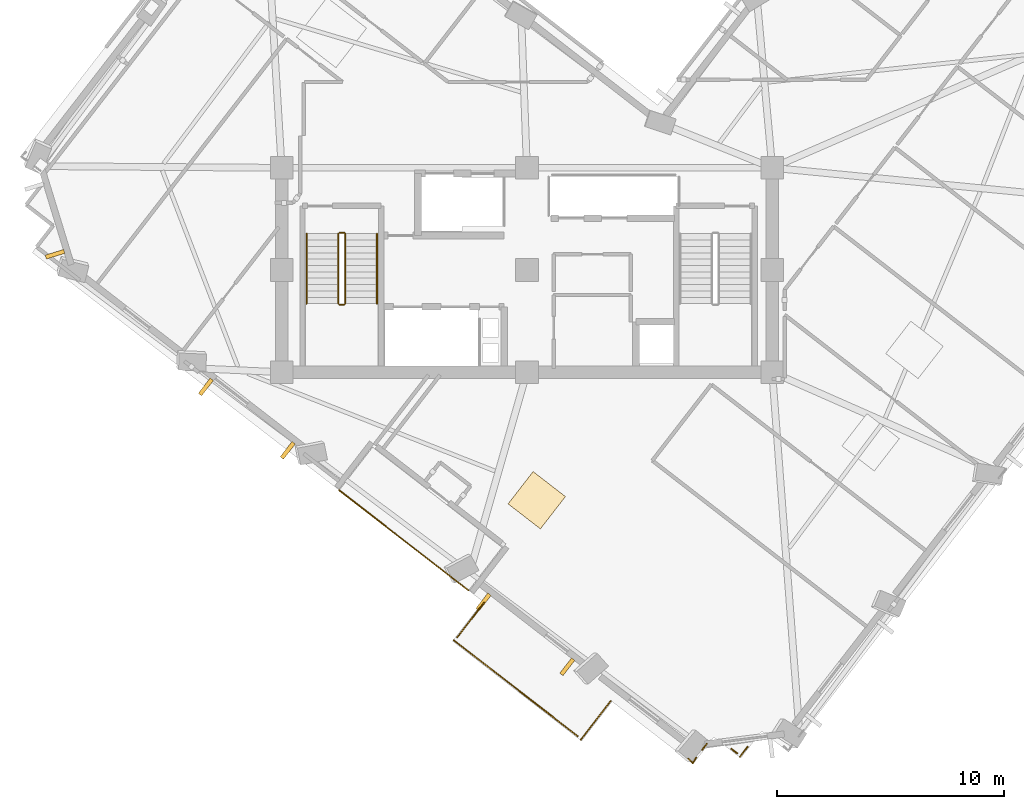
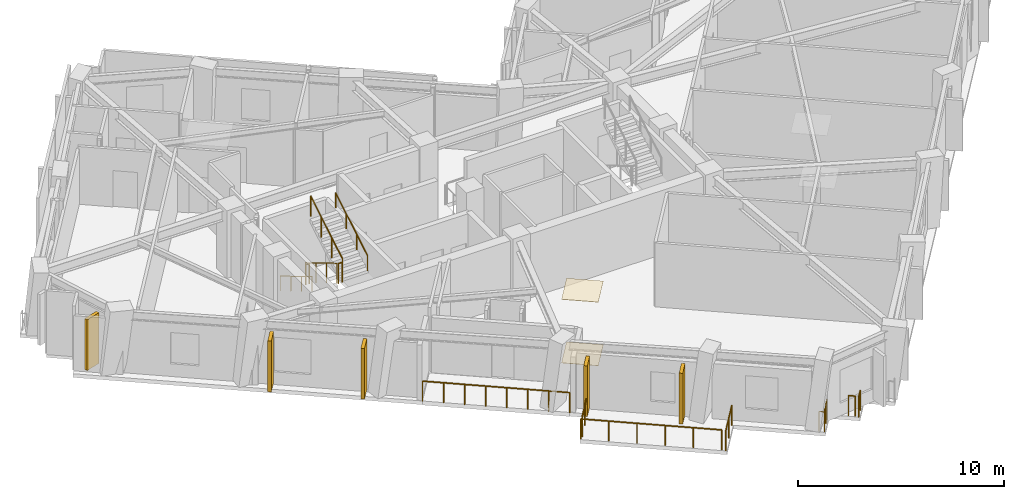
# One storey, part 8 of 12: 14 railings, 5 shading devices, 2 coverings.
"""IFC4 building model written with IfcOpenShell, lengths in metres."""

from ifc_helpers import new_model, si_unit, direction, frame, origin, origin_2d, place, context, subcontext, project, spatial, rectangle, circle, extrude, material, layer, layer_set, type_object, element, save


model = new_model("IFC4")

# Units and contexts
model_context = context("Model", 3, precision=1e-05, world=origin(), true_north=direction((0.0, 1.0)))
body_context = subcontext(model_context, "Body", "Model", "MODEL_VIEW")
ifc_project = project(units=[si_unit("LENGTHUNIT", "METRE"), si_unit("AREAUNIT", "SQUARE_METRE"), si_unit("VOLUMEUNIT", "CUBIC_METRE"), si_unit("PLANEANGLEUNIT", "RADIAN"), si_unit("MASSUNIT", "GRAM", prefix="KILO")], contexts=[model_context])

# Site, building, storey
site_placement = place(None, origin())
site = spatial("IfcSite", under=ifc_project, at=site_placement, CompositionType="ELEMENT")
building_placement = place(site_placement, origin())
building = spatial("IfcBuilding", under=site, at=building_placement, Name="Gaonmaruhae Medical Tower", CompositionType="ELEMENT")
storey_placement = place(building_placement, frame((0.0, 0.0, 247.199951171875)))
storey = spatial("IfcBuildingStorey", under=building, at=storey_placement, Name="L59", CompositionType="ELEMENT", Elevation=247.199951171875)

# Coverings
ifc_material_1 = material(Name="Acoustic mineral ceiling tile", Category="finish")
ifc_layer_1 = layer(ifc_material_1, 0.02490234375)
ifc_layer_set_1 = layer_set([ifc_layer_1], Name="Acoustic mineral ceiling tile")
covering_type_1 = type_object("IfcCoveringType", Name="CLG-01 Antimicrobial Acoustic Mineral Ceiling", PredefinedType="CEILING", material=ifc_layer_set_1)
covering_1_placement = place(storey_placement, frame((25.234130859375, 2.16357421875, 3.755126953125), z_axis=(0.0, 0.0, 1.0), x_axis=(0.612217280034, 0.790689573744, 0.0)))
element("IfcCovering", 1, at=covering_1_placement, inside=storey, type_object=covering_type_1, Name="L59 Clinical Room Acoustic Ceiling 2", PredefinedType="CEILING", context=body_context, shape_type="SweptSolid", body=[
    extrude(rectangle(XDim=1.800048828125, YDim=1.800048828125, at=origin_2d()), origin(), (0.0, 0.0, 1.0), 0.02490234375),
])
ifc_material_2 = material(Name="Seamless clinical vinyl flooring", Category="finish")
ifc_layer_2 = layer(ifc_material_2, 0.014892578125)
ifc_layer_set_2 = layer_set([ifc_layer_2], Name="Seamless clinical vinyl flooring")
covering_type_2 = type_object("IfcCoveringType", Name="FLR-01 Seamless Clinical Antistatic Vinyl Flooring", PredefinedType="FLOORING", material=ifc_layer_set_2)
covering_2_placement = place(storey_placement, frame((25.234130859375, 2.16357421875, 0.0), z_axis=(0.0, 0.0, 1.0), x_axis=(0.612217280034, 0.790689573744, 0.0)))
element("IfcCovering", 2, at=covering_2_placement, inside=storey, type_object=covering_type_2, Name="L59 Clinical Room Vinyl Flooring 2", PredefinedType="FLOORING", context=body_context, shape_type="SweptSolid", body=[
    extrude(rectangle(XDim=1.800048828125, YDim=1.800048828125, at=origin_2d()), origin(), (0.0, 0.0, 1.0), 0.014892578125),
])

# Railings
ifc_material_3 = material(Name="Stainless steel 316L and laminated safety glass", Category="steel")
ifc_layer_3 = layer(ifc_material_3, 0.080078125)
ifc_layer_set_3 = layer_set([ifc_layer_3], Name="Stainless steel 316L and laminated safety glass")
railing_type_1 = type_object("IfcRailingType", Name="GD-120 Outdoor Terrace Safety Glass & Steel Balustrade", PredefinedType="BALUSTRADE", material=ifc_layer_set_3)
railing_1_placement = place(storey_placement, frame((16.537109375, 2.599609375, 0.0)))
element("IfcRailing", 3, at=railing_1_placement, inside=storey, type_object=railing_type_1, Name="L59 Terrace Safety Guard RL-SLB-L59-TER-04", PredefinedType="BALUSTRADE", context=body_context, shape_type="SweptSolid", body=[
    extrude(circle(Radius=0.02392578125, at=origin_2d()), frame((0.0, 0.0, 1.17578125), z_axis=(0.790668639632, -0.612244315859, 0.0), x_axis=(0.612244315859, 0.790668639632, 0.0)), (0.0, 0.0, 1.0), 7.199951171875),
    extrude(circle(Radius=0.02099609375, at=origin_2d()), origin(), (0.0, 0.0, 1.0), 1.15185546875),
    extrude(circle(Radius=0.02099609375, at=origin_2d()), frame((0.813232421875, -0.629638671875, 0.0)), (0.0, 0.0, 1.0), 1.15185546875),
    extrude(circle(Radius=0.02099609375, at=origin_2d()), frame((1.62646484375, -1.259521484375, 0.0)), (0.0, 0.0, 1.0), 1.15185546875),
    extrude(circle(Radius=0.02099609375, at=origin_2d()), frame((2.439697265625, -1.88916015625, 0.0)), (0.0, 0.0, 1.0), 1.15185546875),
    extrude(circle(Radius=0.02099609375, at=origin_2d()), frame((3.253173828125, -2.51904296875, 0.0)), (0.0, 0.0, 1.0), 1.15185546875),
    extrude(circle(Radius=0.02099609375, at=origin_2d()), frame((4.06640625, -3.148681640625, 0.0)), (0.0, 0.0, 1.0), 1.15185546875),
    extrude(circle(Radius=0.02099609375, at=origin_2d()), frame((4.879638671875, -3.778564453125, 0.0)), (0.0, 0.0, 1.0), 1.15185546875),
    extrude(circle(Radius=0.02099609375, at=origin_2d()), frame((5.69287109375, -4.408203125, 0.0)), (0.0, 0.0, 1.0), 1.15185546875),
])
railing_2_placement = place(storey_placement, frame((34.517578125, -8.692138671875, 0.0)))
element("IfcRailing", 4, at=railing_2_placement, inside=storey, type_object=railing_type_1, Name="L59 Perimeter Slab Edge Safety Balustrade 09", PredefinedType="BALUSTRADE", context=body_context, shape_type="SweptSolid", body=[
    extrude(circle(Radius=0.02392578125, at=origin_2d()), frame((0.0, 0.0, 1.17578125), z_axis=(-0.612278735813, -0.790641985776, 0.0), x_axis=(0.790641985776, -0.612278735813, 0.0)), (0.0, 0.0, 1.0), 0.559814453125),
    extrude(circle(Radius=0.02099609375, at=origin_2d()), origin(), (0.0, 0.0, 1.0), 1.15185546875),
    extrude(circle(Radius=0.02099609375, at=origin_2d()), frame((-0.3427734375, -0.442626953125, 0.0)), (0.0, 0.0, 1.0), 1.15185546875),
])
railing_3_placement = place(storey_placement, frame((34.060546875, -8.983154296875, 0.0)))
element("IfcRailing", 5, at=railing_3_placement, inside=storey, type_object=railing_type_1, Name="L59 Perimeter Slab Edge Safety Balustrade 10", PredefinedType="BALUSTRADE", context=body_context, shape_type="SweptSolid", body=[
    extrude(circle(Radius=0.02392578125, at=origin_2d()), frame((0.0, 0.0, 1.17578125), z_axis=(-0.790758718323, 0.612127968154, 0.0), x_axis=(-0.612127968154, -0.790758718323, 0.0)), (0.0, 0.0, 1.0), 0.32666015625),
    extrude(circle(Radius=0.02099609375, at=origin_2d()), origin(), (0.0, 0.0, 1.0), 1.15185546875),
    extrude(circle(Radius=0.02099609375, at=origin_2d()), frame((-0.25830078125, 0.199951171875, 0.0)), (0.0, 0.0, 1.0), 1.15185546875),
])
railing_4_placement = place(storey_placement, frame((32.719482421875, -8.564453125, 0.0)))
element("IfcRailing", 6, at=railing_4_placement, inside=storey, type_object=railing_type_1, Name="L59 Perimeter Slab Edge Safety Balustrade 11", PredefinedType="BALUSTRADE", context=body_context, shape_type="SweptSolid", body=[
    extrude(circle(Radius=0.02392578125, at=origin_2d()), frame((0.0, 0.0, 1.17578125), z_axis=(-0.612595001899, -0.790396965865, 0.0), x_axis=(0.790396965865, -0.612595001899, 0.0)), (0.0, 0.0, 1.0), 0.326904296875),
    extrude(circle(Radius=0.02099609375, at=origin_2d()), origin(), (0.0, 0.0, 1.0), 1.15185546875),
    extrude(circle(Radius=0.02099609375, at=origin_2d()), frame((-0.2001953125, -0.25830078125, 0.0)), (0.0, 0.0, 1.0), 1.15185546875),
])
railing_5_placement = place(storey_placement, frame((28.48779296875, -6.67919921875, 0.0)))
element("IfcRailing", 7, at=railing_5_placement, inside=storey, type_object=railing_type_1, Name="L59 Perimeter Slab Edge Safety Balustrade 12", PredefinedType="BALUSTRADE", context=body_context, shape_type="SweptSolid", body=[
    extrude(circle(Radius=0.02392578125, at=origin_2d()), frame((0.0, 0.0, 1.17578125), z_axis=(-0.612209670199, -0.79069546585, 0.0), x_axis=(0.79069546585, -0.612209670199, 0.0)), (0.0, 0.0, 1.0), 2.159912109375),
    extrude(circle(Radius=0.02099609375, at=origin_2d()), origin(), (0.0, 0.0, 1.0), 1.15185546875),
    extrude(circle(Radius=0.02099609375, at=origin_2d()), frame((-0.6611328125, -0.85400390625, 0.0)), (0.0, 0.0, 1.0), 1.15185546875),
    extrude(circle(Radius=0.02099609375, at=origin_2d()), frame((-1.322265625, -1.707763671875, 0.0)), (0.0, 0.0, 1.0), 1.15185546875),
])
railing_6_placement = place(storey_placement, frame((27.030029296875, -8.218994140625, 0.0)))
element("IfcRailing", 8, at=railing_6_placement, inside=storey, type_object=railing_type_1, Name="L59 Perimeter Slab Edge Safety Balustrade 13", PredefinedType="BALUSTRADE", context=body_context, shape_type="SweptSolid", body=[
    extrude(circle(Radius=0.02392578125, at=origin_2d()), frame((0.0, 0.0, 1.17578125), z_axis=(-0.790687794506, 0.612219577945, 0.0), x_axis=(-0.612219577945, -0.790687794506, 0.0)), (0.0, 0.0, 1.0), 6.900146484375),
    extrude(circle(Radius=0.02099609375, at=origin_2d()), origin(), (0.0, 0.0, 1.0), 1.15185546875),
    extrude(circle(Radius=0.02099609375, at=origin_2d()), frame((-1.091064453125, 0.844970703125, 0.0)), (0.0, 0.0, 1.0), 1.15185546875),
    extrude(circle(Radius=0.02099609375, at=origin_2d()), frame((-2.182373046875, 1.689697265625, 0.0)), (0.0, 0.0, 1.0), 1.15185546875),
    extrude(circle(Radius=0.02099609375, at=origin_2d()), frame((-3.2734375, 2.53466796875, 0.0)), (0.0, 0.0, 1.0), 1.15185546875),
    extrude(circle(Radius=0.02099609375, at=origin_2d()), frame((-4.36474609375, 3.37939453125, 0.0)), (0.0, 0.0, 1.0), 1.15185546875),
    extrude(circle(Radius=0.02099609375, at=origin_2d()), frame((-5.455810546875, 4.224365234375, 0.0)), (0.0, 0.0, 1.0), 1.15185546875),
])
railing_7_placement = place(storey_placement, frame((21.729248046875, -3.876220703125, 0.0)))
element("IfcRailing", 9, at=railing_7_placement, inside=storey, type_object=railing_type_1, Name="L59 Perimeter Slab Edge Safety Balustrade 14", PredefinedType="BALUSTRADE", context=body_context, shape_type="SweptSolid", body=[
    extrude(circle(Radius=0.02392578125, at=origin_2d()), frame((0.0, 0.0, 1.17578125), z_axis=(0.612188569376, 0.790711803077, 0.0), x_axis=(-0.790711803077, 0.612188569376, 0.0)), (0.0, 0.0, 1.0), 1.92138671875),
    extrude(circle(Radius=0.02099609375, at=origin_2d()), origin(), (0.0, 0.0, 1.0), 1.15185546875),
    extrude(circle(Radius=0.02099609375, at=origin_2d()), frame((0.588134765625, 0.759765625, 0.0)), (0.0, 0.0, 1.0), 1.15185546875),
    extrude(circle(Radius=0.02099609375, at=origin_2d()), frame((1.17626953125, 1.519287109375, 0.0)), (0.0, 0.0, 1.0), 1.15185546875),
])
railing_8_placement = place(storey_placement, frame((32.254150390625, -9.165283203125, 0.0)))
element("IfcRailing", 10, at=railing_8_placement, inside=storey, type_object=railing_type_1, Name="L59 Perimeter Corner Safety Balustrade 17", PredefinedType="BALUSTRADE", context=body_context, shape_type="SweptSolid", body=[
    extrude(circle(Radius=0.02392578125, at=origin_2d()), frame((0.0, 0.0, 1.17578125), z_axis=(-0.510990504659, -0.859586356423, 0.0), x_axis=(0.859586356423, -0.510990504659, 0.0)), (0.0, 0.0, 1.0), 0.287109375),
    extrude(circle(Radius=0.02392578125, at=origin_2d()), frame((-0.146728515625, -0.246826171875, 1.17578125), z_axis=(-0.710498121873, 0.703699096784, 0.0), x_axis=(-0.703699096784, -0.710498121873, 0.0)), (0.0, 0.0, 1.0), 0.287353515625),
    extrude(circle(Radius=0.02099609375, at=origin_2d()), origin(), (0.0, 0.0, 1.0), 1.15185546875),
    extrude(circle(Radius=0.02099609375, at=origin_2d()), frame((-0.146728515625, -0.246826171875, 0.0)), (0.0, 0.0, 1.0), 1.15185546875),
    extrude(circle(Radius=0.02099609375, at=origin_2d()), frame((-0.350830078125, -0.044677734375, 0.0)), (0.0, 0.0, 1.0), 1.15185546875),
])
ifc_material_4 = material(Name="Stainless steel 304 handrail", Category="steel")
railing_type_2 = type_object("IfcRailingType", Name="HR-092 Continuous Stainless Steel Stair Handrail", PredefinedType="HANDRAIL", material=ifc_material_4)
railing_9_placement = place(storey_placement, frame((15.10009765625, 13.89990234375, 0.166748046875)))
element("IfcRailing", 11, at=railing_9_placement, inside=storey, type_object=railing_type_2, Name="L59 ST-01 stair handrail 1", PredefinedType="HANDRAIL", context=body_context, shape_type="SweptSolid", body=[
    extrude(circle(Radius=0.02392578125, at=origin_2d()), frame((0.0, 0.0, 0.8759765625), z_axis=(0.0, -0.859290745958, 0.51148745235), x_axis=(1.0, 0.0, 0.0)), (0.0, 0.0, 1.0), 3.584228515625),
    extrude(circle(Radius=0.02099609375, at=origin_2d()), origin(), (0.0, 0.0, 1.0), 0.851806640625),
    extrude(circle(Radius=0.02099609375, at=origin_2d()), frame((0.0, -1.026611328125, 0.611083984375)), (0.0, 0.0, 1.0), 0.851806640625),
    extrude(circle(Radius=0.02099609375, at=origin_2d()), frame((0.0, -2.05322265625, 1.22216796875)), (0.0, 0.0, 1.0), 0.851806640625),
    extrude(circle(Radius=0.02099609375, at=origin_2d()), frame((0.0, -3.079833984375, 1.833251953125)), (0.0, 0.0, 1.0), 0.851806640625),
])
railing_10_placement = place(storey_placement, frame((18.199951171875, 10.820068359375, 2.166748046875)))
element("IfcRailing", 12, at=railing_10_placement, inside=storey, type_object=railing_type_2, Name="L59 ST-01 stair handrail 2", PredefinedType="HANDRAIL", context=body_context, shape_type="SweptSolid", body=[
    extrude(circle(Radius=0.02392578125, at=origin_2d()), frame((0.0, 0.0, 0.8759765625), z_axis=(0.0, 0.859290745958, 0.51148745235), x_axis=(-1.0, 0.0, 0.0)), (0.0, 0.0, 1.0), 3.584228515625),
    extrude(circle(Radius=0.02099609375, at=origin_2d()), origin(), (0.0, 0.0, 1.0), 0.851806640625),
    extrude(circle(Radius=0.02099609375, at=origin_2d()), frame((0.0, 1.026611328125, 0.611083984375)), (0.0, 0.0, 1.0), 0.851806640625),
    extrude(circle(Radius=0.02099609375, at=origin_2d()), frame((0.0, 2.05322265625, 1.22216796875)), (0.0, 0.0, 1.0), 0.851806640625),
    extrude(circle(Radius=0.02099609375, at=origin_2d()), frame((0.0, 3.079833984375, 1.833251953125)), (0.0, 0.0, 1.0), 0.851806640625),
])

# Shading devices
ifc_material_5 = material(Name="Pigmented coral precast concrete C45/55", Category="concrete")
shading_device_type = type_object("IfcShadingDeviceType", Name="SD-FIN1 Tower Vertical Coral Precast Shading Fin", PredefinedType="USERDEFINED", material=ifc_material_5)
for number, where, z_axis, x_axis, name in (
    (13, (4.024169921875, 12.9951171875, 0.132568359375), (0.0, 0.0, 1.0), (-0.292922448198, 0.956136203342, 0.0), "L59 Vertical Coral Precast Shading Fin N03"),
    (14, (14.27099609375, 4.360107421875, 0.132568359375), (0.0, 0.0, 1.0), (-0.790689573744, 0.612217280034, 0.0), "L59 Vertical Coral Precast Shading Fin W02"),
    (15, (10.664794921875, 7.15234375, 0.132568359375), (0.0, 0.0, 1.0), (-0.790689573744, 0.612217280034, 0.0), "L59 Vertical Coral Precast Shading Fin W02B"),
    (16, (26.57861328125, -5.169189453125, 0.132568359375), (0.0, 0.0, 1.0), (-0.790689573744, 0.612217280034, 0.0), "L59 Vertical Coral Precast Shading Fin W04"),
    (17, (22.889404296875, -2.312744140625, 0.132568359375), (0.0, 0.0, 1.0), (-0.790689573744, 0.612217280034, 0.0), "L59 Vertical Coral Precast Shading Fin W04B"),
):
    element("IfcShadingDevice", number, at=place(storey_placement, frame(where, z_axis=z_axis, x_axis=x_axis)), inside=storey, type_object=shading_device_type, Name=name, ObjectType="FIN", PredefinedType="USERDEFINED", context=body_context, shape_type="SweptSolid", body=[
        extrude(rectangle(XDim=0.179931640625, YDim=0.85009765625, at=origin_2d()), origin(), (0.0, 0.0, 1.0), 3.0),
    ])

# Railings
ifc_material_6 = material(Name="Stainless steel 304 balustrade", Category="steel")
railing_type_3 = type_object("IfcRailingType", Name="SG-112 Stair Well & Ramp Void Safety Balustrade", PredefinedType="BALUSTRADE", material=ifc_material_6)
railing_11_placement = place(storey_placement, frame((16.5, 13.89990234375, 0.166748046875)))
element("IfcRailing", 18, at=railing_11_placement, inside=storey, type_object=railing_type_3, Name="L59 ST-01 stair guard 1", PredefinedType="BALUSTRADE", context=body_context, shape_type="SweptSolid", body=[
    extrude(circle(Radius=0.02392578125, at=origin_2d()), frame((0.0, 0.0, 1.17578125), z_axis=(0.0, -0.859290745958, 0.51148745235), x_axis=(1.0, 0.0, 0.0)), (0.0, 0.0, 1.0), 3.584228515625),
    extrude(circle(Radius=0.02099609375, at=origin_2d()), origin(), (0.0, 0.0, 1.0), 1.15185546875),
    extrude(circle(Radius=0.02099609375, at=origin_2d()), frame((0.0, -1.026611328125, 0.611083984375)), (0.0, 0.0, 1.0), 1.15185546875),
    extrude(circle(Radius=0.02099609375, at=origin_2d()), frame((0.0, -2.05322265625, 1.22216796875)), (0.0, 0.0, 1.0), 1.15185546875),
    extrude(circle(Radius=0.02099609375, at=origin_2d()), frame((0.0, -3.079833984375, 1.833251953125)), (0.0, 0.0, 1.0), 1.15185546875),
])
railing_12_placement = place(storey_placement, frame((16.550048828125, 10.77001953125, 2.0)))
element("IfcRailing", 19, at=railing_12_placement, inside=storey, type_object=railing_type_3, Name="L59 ST-01 stair guard 2", PredefinedType="BALUSTRADE", context=body_context, shape_type="SweptSolid", body=[
    extrude(circle(Radius=0.02392578125, at=origin_2d()), frame((0.0, 0.0, 1.17578125), z_axis=(1.0, 0.0, 0.0), x_axis=(0.0, 1.0, 0.0)), (0.0, 0.0, 1.0), 0.199951171875),
    extrude(circle(Radius=0.02099609375, at=origin_2d()), origin(), (0.0, 0.0, 1.0), 1.15185546875),
    extrude(circle(Radius=0.02099609375, at=origin_2d()), frame((0.199951171875, 0.0, 0.0)), (0.0, 0.0, 1.0), 1.15185546875),
])
railing_13_placement = place(storey_placement, frame((16.800048828125, 10.820068359375, 2.166748046875)))
element("IfcRailing", 20, at=railing_13_placement, inside=storey, type_object=railing_type_3, Name="L59 ST-01 stair guard 3", PredefinedType="BALUSTRADE", context=body_context, shape_type="SweptSolid", body=[
    extrude(circle(Radius=0.02392578125, at=origin_2d()), frame((0.0, 0.0, 1.17578125), z_axis=(0.0, 0.859290745958, 0.51148745235), x_axis=(-1.0, 0.0, 0.0)), (0.0, 0.0, 1.0), 3.584228515625),
    extrude(circle(Radius=0.02099609375, at=origin_2d()), origin(), (0.0, 0.0, 1.0), 1.15185546875),
    extrude(circle(Radius=0.02099609375, at=origin_2d()), frame((0.0, 1.026611328125, 0.611083984375)), (0.0, 0.0, 1.0), 1.15185546875),
    extrude(circle(Radius=0.02099609375, at=origin_2d()), frame((0.0, 2.05322265625, 1.22216796875)), (0.0, 0.0, 1.0), 1.15185546875),
    extrude(circle(Radius=0.02099609375, at=origin_2d()), frame((0.0, 3.079833984375, 1.833251953125)), (0.0, 0.0, 1.0), 1.15185546875),
])
railing_14_placement = place(storey_placement, frame((16.550048828125, 13.949951171875, 0.0)))
element("IfcRailing", 21, at=railing_14_placement, inside=storey, type_object=railing_type_3, Name="L59 ST-01 stair guard 4", PredefinedType="BALUSTRADE", context=body_context, shape_type="SweptSolid", body=[
    extrude(circle(Radius=0.02392578125, at=origin_2d()), frame((0.0, 0.0, 1.17578125), z_axis=(1.0, 0.0, 0.0), x_axis=(0.0, 1.0, 0.0)), (0.0, 0.0, 1.0), 0.199951171875),
    extrude(circle(Radius=0.02099609375, at=origin_2d()), origin(), (0.0, 0.0, 1.0), 1.15185546875),
    extrude(circle(Radius=0.02099609375, at=origin_2d()), frame((0.199951171875, 0.0, 0.0)), (0.0, 0.0, 1.0), 1.15185546875),
])

save(model, "model.ifc")
